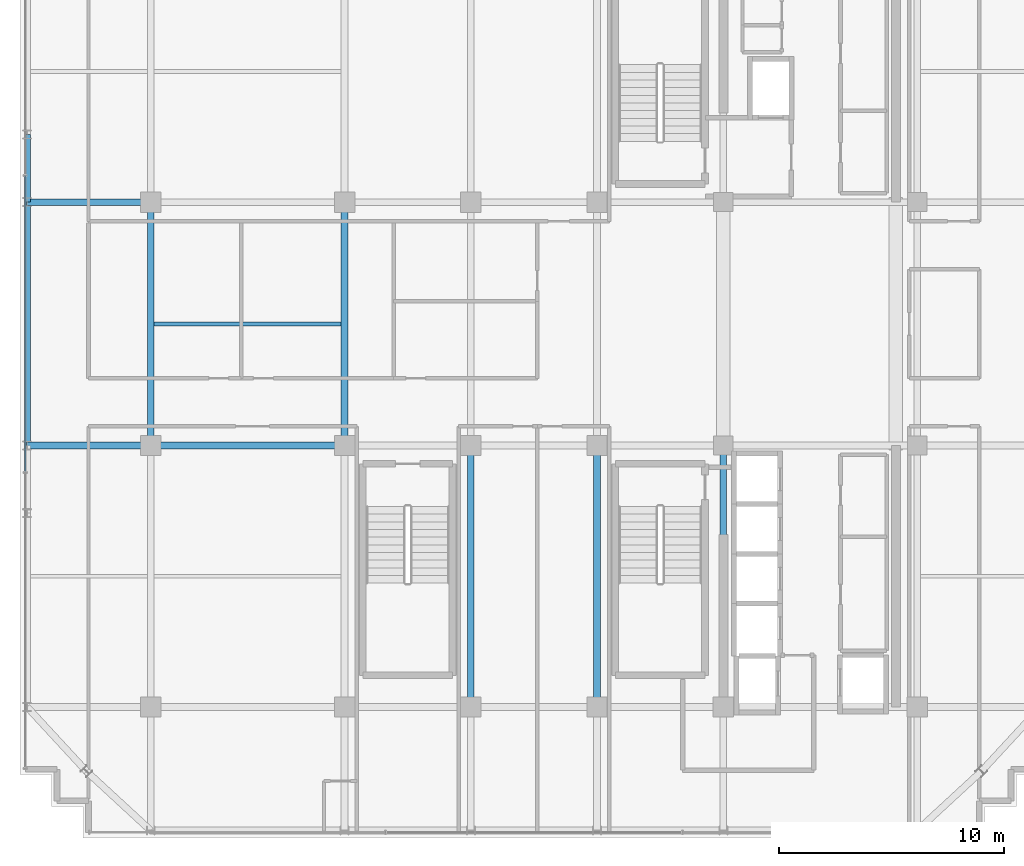
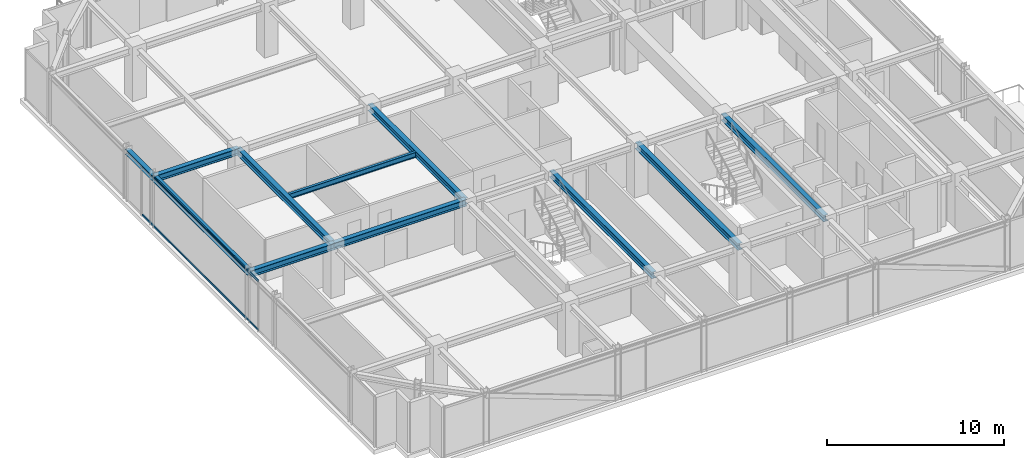
# One storey, part 9 of 31: 11 beams, 2 members, 1 element without a shape of its own.
"""IFC4 building model written with IfcOpenShell, lengths in metres."""

from ifc_helpers import new_model, si_unit, direction, frame, origin, origin_2d, place, context, subcontext, project, spatial, hollow_rectangle, i_section, extrude, source, transform, mapped, material, material_profile, profile_set, type_object, element, aggregate, save


model = new_model("IFC4")

# Units and contexts
model_context = context("Model", 3, precision=1e-05, world=origin(), true_north=direction((0.0, 1.0)))
body_context = subcontext(model_context, "Body", "Model", "MODEL_VIEW")
ifc_project = project(units=[si_unit("LENGTHUNIT", "METRE"), si_unit("AREAUNIT", "SQUARE_METRE"), si_unit("VOLUMEUNIT", "CUBIC_METRE"), si_unit("PLANEANGLEUNIT", "RADIAN"), si_unit("MASSUNIT", "GRAM", prefix="KILO")], contexts=[model_context])

# Site, building, storey
site_placement = place(None, origin())
site = spatial("IfcSite", under=ifc_project, at=site_placement, CompositionType="ELEMENT")
building_placement = place(site_placement, origin())
building = spatial("IfcBuilding", under=site, at=building_placement, Name="Nahalor Promenade Grand Hotel", CompositionType="ELEMENT")
storey_placement = place(building_placement, frame((0.0, 0.0, 327.14990234375)))
storey = spatial("IfcBuildingStorey", under=building, at=storey_placement, Name="L84", CompositionType="ELEMENT", Elevation=327.14990234375)

# Beams
ifc_material_1 = material(Name="Steel S355JR", Category="steel")
ifc_material_profile_1 = material_profile(ifc_material_1, i_section(OverallWidth=0.3, OverallDepth=0.45, WebThickness=0.014, FlangeThickness=0.026, at=origin_2d()), Name="HEB 450")
ifc_profile_set_1 = profile_set([ifc_material_profile_1], Name="Steel S355JR")
beam_type_1 = type_object("IfcBeamType", Name="Beam-Girder-HEB450", PredefinedType="BEAM", material=ifc_profile_set_1)
shared_shape_1 = source(origin(), body_context, "Body", "SweptSolid", [
    extrude(i_section(OverallWidth=0.3, OverallDepth=0.45, WebThickness=0.014, FlangeThickness=0.026, at=origin_2d()), origin(), (0.0, 0.0, 1.0), 8.60009765625),
])
beam_1_placement = place(storey_placement, frame((-17.0, -5.39990234375, 3.275146484375), z_axis=(1.0, 0.0, 0.0), x_axis=(0.0, 1.0, 0.0)))
element("IfcBeam", 1, at=beam_1_placement, inside=storey, type_object=beam_type_1, Name="BM-L84-GX-1-1", PredefinedType="BEAM", context=body_context, shape_type="MappedRepresentation", body=[
    mapped(shared_shape_1, transform((0.0, 0.0, 0.0), scale=1.0)),
])
shared_shape_2 = source(origin(), body_context, "Body", "SweptSolid", [
    extrude(i_section(OverallWidth=0.3, OverallDepth=0.45, WebThickness=0.014, FlangeThickness=0.026, at=origin_2d()), origin(), (0.0, 0.0, 1.0), 11.60009765625),
])
for number, where, z_axis, x_axis, name in (
    (2, (-2.800048828125, -17.0, 3.275146484375), (0.0, 1.0, 0.0), (-1.0, 0.0, 0.0), "BM-L84-GY-2-1"),
    (3, (2.800048828125, -17.0, 3.275146484375), (0.0, 1.0, 0.0), (-1.0, 0.0, 0.0), "BM-L84-GY-3-1"),
    (4, (8.39990234375, -17.0, 3.275146484375), (0.0, 1.0, 0.0), (-1.0, 0.0, 0.0), "BM-L84-GY-4-1"),
):
    element("IfcBeam", number, at=place(storey_placement, frame(where, z_axis=z_axis, x_axis=x_axis)), inside=storey, type_object=beam_type_1, Name=name, PredefinedType="BEAM", context=body_context, shape_type="MappedRepresentation", body=[
        mapped(shared_shape_2, transform((0.0, 0.0, 0.0), scale=1.0)),
    ])
shared_shape_3 = source(origin(), body_context, "Body", "SweptSolid", [
    extrude(i_section(OverallWidth=0.3, OverallDepth=0.45, WebThickness=0.014, FlangeThickness=0.026, at=origin_2d()), origin(), (0.0, 0.0, 1.0), 10.7998046875),
])
for number, where, z_axis, x_axis, name in (
    (5, (-17.0, -5.39990234375, 3.275146484375), (0.0, 1.0, 0.0), (-1.0, 0.0, 0.0), "BM-L84-GY-0-2"),
    (6, (-8.39990234375, -5.39990234375, 3.275146484375), (0.0, 1.0, 0.0), (-1.0, 0.0, 0.0), "BM-L84-GY-1-2"),
):
    element("IfcBeam", number, at=place(storey_placement, frame(where, z_axis=z_axis, x_axis=x_axis)), inside=storey, type_object=beam_type_1, Name=name, PredefinedType="BEAM", context=body_context, shape_type="MappedRepresentation", body=[
        mapped(shared_shape_3, transform((0.0, 0.0, 0.0), scale=1.0)),
    ])
shared_shape_4 = source(origin(), body_context, "Body", "SweptSolid", [
    extrude(i_section(OverallWidth=0.3, OverallDepth=0.45, WebThickness=0.014, FlangeThickness=0.026, at=origin_2d()), origin(), (0.0, 0.0, 1.0), 5.47998046875),
])
for number, where, z_axis, x_axis, name in (
    (7, (-22.47998046875, -5.39990234375, 3.275146484375), (1.0, 0.0, 0.0), (0.0, 1.0, 0.0), "BM-L84-GX-1-0"),
    (8, (-22.47998046875, 5.39990234375, 3.275146484375), (1.0, 0.0, 0.0), (0.0, 1.0, 0.0), "BM-L84-GX-2-0"),
):
    element("IfcBeam", number, at=place(storey_placement, frame(where, z_axis=z_axis, x_axis=x_axis)), inside=storey, type_object=beam_type_1, Name=name, PredefinedType="BEAM", context=body_context, shape_type="MappedRepresentation", body=[
        mapped(shared_shape_4, transform((0.0, 0.0, 0.0), scale=1.0)),
    ])
ifc_material_profile_2 = material_profile(ifc_material_1, i_section(OverallWidth=0.3, OverallDepth=0.36, WebThickness=0.0125, FlangeThickness=0.0225, at=origin_2d()), Name="HEB 360")
ifc_profile_set_2 = profile_set([ifc_material_profile_2], Name="Steel S355JR")
beam_type_2 = type_object("IfcBeamType", Name="Beam-Spandrel-HEB360", PredefinedType="SPANDREL", material=ifc_profile_set_2)
shared_shape_5 = source(origin(), body_context, "Body", "SweptSolid", [
    extrude(i_section(OverallWidth=0.3, OverallDepth=0.36, WebThickness=0.0125, FlangeThickness=0.0225, at=origin_2d()), origin(), (0.0, 0.0, 1.0), 3.0),
])
beam_2_placement = place(storey_placement, frame((-22.47998046875, 5.39990234375, 3.320068359375), z_axis=(0.0, 1.0, 0.0), x_axis=(-1.0, 0.0, 0.0)))
element("IfcBeam", 9, at=beam_2_placement, inside=storey, type_object=beam_type_2, Name="BM-L84-SP-W-3", PredefinedType="SPANDREL", context=body_context, shape_type="MappedRepresentation", body=[
    mapped(shared_shape_5, transform((0.0, 0.0, 0.0), scale=1.0)),
])
shared_shape_6 = source(origin(), body_context, "Body", "SweptSolid", [
    extrude(i_section(OverallWidth=0.3, OverallDepth=0.36, WebThickness=0.0125, FlangeThickness=0.0225, at=origin_2d()), origin(), (0.0, 0.0, 1.0), 10.7998046875),
])
beam_3_placement = place(storey_placement, frame((-22.47998046875, -5.39990234375, 3.320068359375), z_axis=(0.0, 1.0, 0.0), x_axis=(-1.0, 0.0, 0.0)))
element("IfcBeam", 10, at=beam_3_placement, inside=storey, type_object=beam_type_2, Name="BM-L84-SP-W-2", PredefinedType="SPANDREL", context=body_context, shape_type="MappedRepresentation", body=[
    mapped(shared_shape_6, transform((0.0, 0.0, 0.0), scale=1.0)),
])
ifc_material_profile_3 = material_profile(ifc_material_1, i_section(OverallWidth=0.17, OverallDepth=0.36, WebThickness=0.008, FlangeThickness=0.0127, at=origin_2d()), Name="IPE 360")
ifc_profile_set_3 = profile_set([ifc_material_profile_3], Name="Steel S355JR")
beam_type_3 = type_object("IfcBeamType", Name="Beam-Joist-IPE360", PredefinedType="JOIST", material=ifc_profile_set_3)
shared_shape_7 = source(origin(), body_context, "Body", "SweptSolid", [
    extrude(i_section(OverallWidth=0.17, OverallDepth=0.36, WebThickness=0.008, FlangeThickness=0.0127, at=origin_2d()), origin(), (0.0, 0.0, 1.0), 8.300048828125),
])
beam_4_placement = place(storey_placement, frame((-16.85009765625, 0.0, 3.320068359375), z_axis=(1.0, 0.0, 0.0), x_axis=(0.0, 1.0, 0.0)))
element("IfcBeam", 11, at=beam_4_placement, inside=storey, type_object=beam_type_3, Name="BM-L84-JSC-0", PredefinedType="JOIST", context=body_context, shape_type="MappedRepresentation", body=[
    mapped(shared_shape_7, transform((0.0, 0.0, 0.0), scale=1.0)),
])

# Curtain wall, members
ifc_material_2 = material(Name="Anodised Bronze Aluminium EN AW-6063 T6", Category="aluminium")
curtain_wall_type = type_object("IfcCurtainWallType", Name="CW2 Typical Hotel Flush Bronze Unitised Curtain Wall", PredefinedType="USERDEFINED", material=ifc_material_2)
curtain_wall_placement = place(storey_placement, origin())
curtain_wall = element("IfcCurtainWall", 12, at=curtain_wall_placement, inside=storey, type_object=curtain_wall_type, Name="L84 Curtain Wall CW-L84-W-1", ObjectType="UNITISED_CURTAIN_WALL", PredefinedType="USERDEFINED")
ifc_material_profile_4 = material_profile(ifc_material_2, hollow_rectangle(XDim=0.065, YDim=0.13, WallThickness=0.004, at=origin_2d()), Name="CWT 65x130x4")
ifc_profile_set_4 = profile_set([ifc_material_profile_4], Name="Anodised Bronze Aluminium EN AW-6063 T6")
member_type = type_object("IfcMemberType", Name="CWT2 Typical Bronze Transom 65x130", PredefinedType="USERDEFINED", material=ifc_profile_set_4)
shared_shape_8 = source(origin(), body_context, "Body", "SweptSolid", [
    extrude(hollow_rectangle(XDim=0.065, YDim=0.13, WallThickness=0.004, at=origin_2d()), origin(), (0.0, 0.0, 1.0), 13.1083984375),
])
member_1_placement = place(storey_placement, frame((-22.56005859375, -6.55419921875, 0.065185546875), z_axis=(0.0, 1.0, 0.0), x_axis=(-1.0, 0.0, 0.0)))
member_1 = element("IfcMember", 13, at=member_1_placement, type_object=member_type, Name="CW-L84-W-1 Transom 1-0", ObjectType="TRANSOM", PredefinedType="USERDEFINED", context=body_context, shape_type="MappedRepresentation", body=[
    mapped(shared_shape_8, transform((0.0, 0.0, 0.0), scale=1.0)),
])
member_2_placement = place(storey_placement, frame((-22.56005859375, -6.55419921875, 3.43505859375), z_axis=(0.0, 1.0, 0.0), x_axis=(-1.0, 0.0, 0.0)))
member_2 = element("IfcMember", 14, at=member_2_placement, type_object=member_type, Name="CW-L84-W-1 Transom 1-1", ObjectType="TRANSOM", PredefinedType="USERDEFINED", context=body_context, shape_type="MappedRepresentation", body=[
    mapped(shared_shape_8, transform((0.0, 0.0, 0.0), scale=1.0)),
])
aggregate(curtain_wall, [member_1, member_2])

save(model, "model.ifc")
